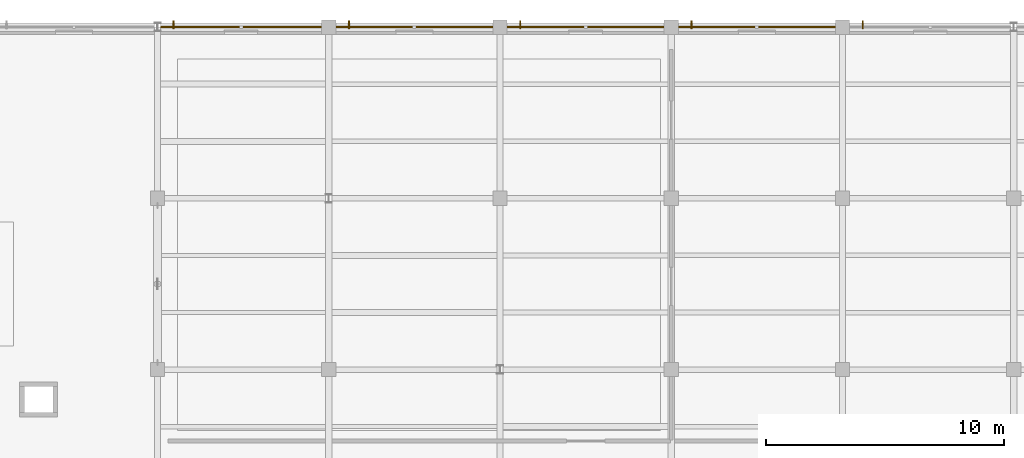
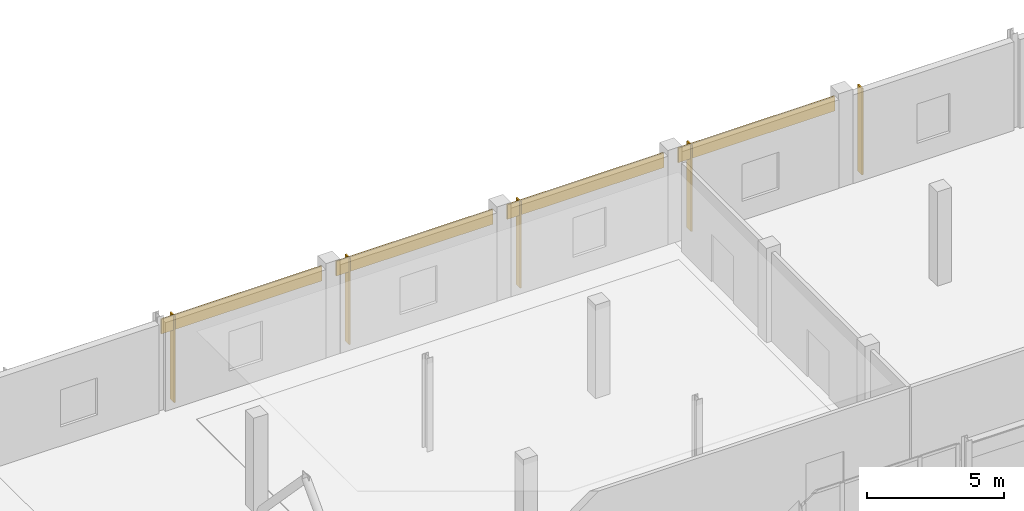
# One storey, part 92 of 94: 5 shading devices, 4 coverings.
"""IFC4 building model written with IfcOpenShell, lengths in metres."""

import ifcopenshell
import ifcopenshell.guid

model = None  # the IFC model being written
_history = None  # IfcOwnerHistory: only IFC2X3 demands one
_inside = {}  # id of a spatial element -> (the spatial element, [elements in it])
_under = {}  # id of a project, library or spatial element -> (it, [spatial elements below it])
_declared = {}  # id of a project -> (the project, [libraries it declares])
_typed = {}  # id of a type object -> (the type object, [elements of that type])
_made_of = {}  # id of a material, layer set ... -> (it, [elements and type objects made of it])


def new_model(schema):
    """Start an empty IFC model of exactly this schema.

    Asked for "IFC4X3", IfcOpenShell would pick the latest addendum, in which some entities
    have other attributes; the version numbers below select the first issue.
    IFC2X3 requires an IfcOwnerHistory on every rooted entity: one is made here for all.
    """
    global model, _history
    if schema == "IFC4X3":
        model = ifcopenshell.file(schema_version=(4, 3, 0, 0))
    else:
        model = ifcopenshell.file(schema=schema)
    _inside.clear()
    _under.clear()
    _declared.clear()
    _typed.clear()
    _made_of.clear()
    _history = None
    if model.schema == "IFC2X3":
        org = make("IfcOrganization", Name="unknown")
        user = make(
            "IfcPersonAndOrganization",
            ThePerson=make("IfcPerson", FamilyName="unknown"),
            TheOrganization=org,
        )
        app = make(
            "IfcApplication",
            ApplicationDeveloper=org,
            Version="unknown",
            ApplicationFullName="unknown",
            ApplicationIdentifier="unknown",
        )
        _history = make(
            "IfcOwnerHistory",
            OwningUser=user,
            OwningApplication=app,
            ChangeAction="ADDED",
            CreationDate=0,
        )
    return model


def make(cls, **values):
    """One entity of the class cls with the attributes given. An attribute that is None is left unset."""
    return model.create_entity(
        cls, **{name: value for name, value in values.items() if value is not None}
    )


def rooted(cls, **values):
    """An entity with a GlobalId (a new one), such as an element, a storey or a relation."""
    return make(cls, GlobalId=ifcopenshell.guid.new(), OwnerHistory=_history, **values)


def si_unit(unit_type, name, prefix=None):
    """IfcSIUnit, for example si_unit("LENGTHUNIT", "METRE", prefix="MILLI")."""
    return make("IfcSIUnit", UnitType=unit_type, Prefix=prefix, Name=name)


def assignment(units):
    """IfcUnitAssignment: the units of a project."""
    return None if units is None else make("IfcUnitAssignment", Units=units)


def point(xyz):
    """IfcCartesianPoint."""
    return None if xyz is None else make("IfcCartesianPoint", Coordinates=xyz)


def direction(xyz):
    """IfcDirection."""
    return None if xyz is None else make("IfcDirection", DirectionRatios=xyz)


def frame(location, z_axis=None, x_axis=None):
    """IfcAxis2Placement3D, a coordinate frame: its origin and axes. An axis left out is left unset."""
    return make(
        "IfcAxis2Placement3D",
        Location=point(location),
        Axis=direction(z_axis),
        RefDirection=direction(x_axis),
    )


def frame_2d(location, x_axis=None):
    """IfcAxis2Placement2D, a coordinate frame in the plane: its origin and x axis."""
    return make(
        "IfcAxis2Placement2D", Location=point(location), RefDirection=direction(x_axis)
    )


def origin():
    """The frame at (0, 0, 0) with its axes left unset."""
    return frame((0.0, 0.0, 0.0))


def origin_2d():
    """The frame at (0, 0) in the plane with its x axis left unset."""
    return frame_2d((0.0, 0.0))


def place(relative_to, where):
    """IfcLocalPlacement: puts the frame where relative to a parent placement (None: the world)."""
    return make(
        "IfcLocalPlacement", PlacementRelTo=relative_to, RelativePlacement=where
    )


def context(
    kind, dimensions, precision=None, world=None, true_north=None, identifier=None
):
    """IfcGeometricRepresentationContext, for example the 3D "Model" context."""
    return make(
        "IfcGeometricRepresentationContext",
        ContextIdentifier=identifier,
        ContextType=kind,
        CoordinateSpaceDimension=dimensions,
        Precision=precision,
        WorldCoordinateSystem=world,
        TrueNorth=true_north,
    )


def subcontext(parent, identifier, kind, view, scale=None):
    """IfcGeometricRepresentationSubContext, for example "Body" below "Model"."""
    return make(
        "IfcGeometricRepresentationSubContext",
        ContextIdentifier=identifier,
        ContextType=kind,
        ParentContext=parent,
        TargetScale=scale,
        TargetView=view,
    )


def project(units=None, contexts=None):
    """IfcProject with its units and contexts."""
    return rooted(
        "IfcProject",
        Name="project",
        RepresentationContexts=contexts,
        UnitsInContext=assignment(units),
    )


def spatial(cls, under=None, at=None, **own):
    """A site, building, storey or space (cls), placed at a placement, below another one or the project."""
    s = rooted(cls, ObjectPlacement=at, **own)
    if under is not None:
        _under.setdefault(under.id(), (under, []))[1].append(s)
    return s


def profile(cls, at=None, kind="AREA", **sizes):
    """A parametric profile (cls). Its sizes go by their IFC names, for example OverallWidth=200.0."""
    return make(cls, ProfileType=kind, Position=at, **sizes)


def rectangle(**sizes):
    """IfcRectangleProfileDef."""
    return profile("IfcRectangleProfileDef", **sizes)


def extrude(swept, where, along, depth):
    """IfcExtrudedAreaSolid: the profile swept, set in the frame where, extruded along a direction by depth."""
    return make(
        "IfcExtrudedAreaSolid",
        SweptArea=swept,
        Position=where,
        ExtrudedDirection=direction(along),
        Depth=depth,
    )


def shape(context_of_items, identifier, shape_type, items):
    """IfcShapeRepresentation: the items that make up one representation, for example the "Body"."""
    return make(
        "IfcShapeRepresentation",
        ContextOfItems=context_of_items,
        RepresentationIdentifier=identifier,
        RepresentationType=shape_type,
        Items=items,
    )


def material(Name=None, Category=None):
    """IfcMaterial."""
    return make("IfcMaterial", Name=Name, Category=Category)


def layer(
    of_material, thickness, ventilated=None, Name=None, Category=None, Priority=None
):
    """IfcMaterialLayer: one layer of a wall or slab, of a material (None: an air gap)."""
    return make(
        "IfcMaterialLayer",
        Material=of_material,
        LayerThickness=thickness,
        IsVentilated=ventilated,
        Name=Name,
        Category=Category,
        Priority=Priority,
    )


def layer_set(layers, Name=None):
    """IfcMaterialLayerSet."""
    return make("IfcMaterialLayerSet", MaterialLayers=layers, LayerSetName=Name)


def made_of(thing, what):
    """Note that an element or type object is made of a material, layer set ...; save() writes the relation."""
    if what is not None:
        _made_of.setdefault(what.id(), (what, []))[1].append(thing)
    return thing


def type_object(cls, material=None, **own):
    """A type object (cls), such as IfcWallType, which elements share."""
    return made_of(rooted(cls, **own), material)


def element(
    cls,
    number,
    at=None,
    inside=None,
    cuts=None,
    type_object=None,
    material=None,
    context=None,
    identifier="Body",
    shape_type=None,
    held_by="IfcProductDefinitionShape",
    body=None,
    shapes=None,
    **own,
):
    """One element of the class cls, such as IfcWall. Its Tag is "e" and its number.

    at: its placement. inside: the storey or other place that contains it. cuts: it is an
    opening in that element (IfcRelVoidsElement). A single representation is given by context,
    identifier, shape_type and body (its items); several are given by shapes. held_by: the class
    of the entity that holds the representations. save() writes the other relations.
    """
    e = rooted(cls, Tag="e%d" % number, ObjectPlacement=at, **own)
    if body is not None:
        shapes = [shape(context, identifier, shape_type, body)]
    if shapes is not None:
        e.Representation = make(held_by, Representations=shapes)
    if inside is not None:
        _inside.setdefault(inside.id(), (inside, []))[1].append(e)
    if cuts is not None:
        rooted(
            "IfcRelVoidsElement", RelatingBuildingElement=cuts, RelatedOpeningElement=e
        )
    if type_object is not None:
        _typed.setdefault(type_object.id(), (type_object, []))[1].append(e)
    return made_of(e, material)


def aggregate(whole, parts):
    """IfcRelAggregates: a whole, such as a stair, and the parts it consists of."""
    return rooted("IfcRelAggregates", RelatingObject=whole, RelatedObjects=parts)


def save(model, path):
    """Write the relations noted so far, then the file.

    IfcRelAggregates (storeys below a building ...), IfcRelContainedInSpatialStructure (elements
    in a storey), IfcRelDefinesByType, IfcRelAssociatesMaterial and IfcRelDeclares: one each for
    every whole, place, type object, material and project.
    """
    for whole, parts in _under.values():
        aggregate(whole, parts)
    for where, things in _inside.values():
        rooted(
            "IfcRelContainedInSpatialStructure",
            RelatedElements=things,
            RelatingStructure=where,
        )
    for kind, things in _typed.values():
        rooted("IfcRelDefinesByType", RelatedObjects=things, RelatingType=kind)
    for what, things in _made_of.values():
        rooted("IfcRelAssociatesMaterial", RelatedObjects=things, RelatingMaterial=what)
    for by, libraries in _declared.values():
        rooted("IfcRelDeclares", RelatingContext=by, RelatedDefinitions=libraries)
    model.write(path)


model = new_model("IFC4")

# Units and contexts
model_context = context("Model", 3, precision=1e-05, world=origin(), true_north=direction((0.0, 1.0)))
body_context = subcontext(model_context, "Body", "Model", "MODEL_VIEW")
ifc_project = project(units=[si_unit("LENGTHUNIT", "METRE"), si_unit("AREAUNIT", "SQUARE_METRE"), si_unit("VOLUMEUNIT", "CUBIC_METRE"), si_unit("PLANEANGLEUNIT", "RADIAN"), si_unit("MASSUNIT", "GRAM", prefix="KILO")], contexts=[model_context])

# Site, building, storey
site_placement = place(None, origin())
site = spatial("IfcSite", under=ifc_project, at=site_placement, CompositionType="ELEMENT")
building_placement = place(site_placement, origin())
building = spatial("IfcBuilding", under=site, at=building_placement, Name="Kalmorath City Hall", CompositionType="ELEMENT")
storey_placement = place(building_placement, frame((0.0, 0.0, 14.699951171875)))
storey = spatial("IfcBuildingStorey", under=building, at=storey_placement, Name="L03", CompositionType="ELEMENT", Elevation=14.699951171875)

# Shading devices
ifc_material_1 = material(Name="Bronze anodised aluminium", Category="aluminium")
ifc_layer_1 = layer(ifc_material_1, 0.06005859375)
ifc_layer_set_1 = layer_set([ifc_layer_1], Name="Bronze anodised aluminium")
shading_device_type = type_object("IfcShadingDeviceType", Name="Bronze vertical solar fin 320", PredefinedType="USERDEFINED", material=ifc_layer_set_1)
for number, where, z_axis, x_axis, name in (
    (1, (65.47802734375, 115.300048828125, 0.050048828125), (0.0, 0.0, 1.0), (1.0, 0.0, 0.0), "L03 bronze solar fin #327"),
    (2, (72.85107421875, 115.300048828125, 0.050048828125), (0.0, 0.0, 1.0), (1.0, 0.0, 0.0), "L03 bronze solar fin #328"),
    (3, (80.051025390625, 115.300048828125, 0.050048828125), (0.0, 0.0, 1.0), (1.0, 0.0, 0.0), "L03 bronze solar fin #329"),
    (4, (87.2509765625, 115.300048828125, 0.050048828125), (0.0, 0.0, 1.0), (1.0, 0.0, 0.0), "L03 bronze solar fin #330"),
    (5, (94.450927734375, 115.300048828125, 0.050048828125), (0.0, 0.0, 1.0), (1.0, 0.0, 0.0), "L03 bronze solar fin #331"),
):
    element("IfcShadingDevice", number, at=place(storey_placement, frame(where, z_axis=z_axis, x_axis=x_axis)), inside=storey, type_object=shading_device_type, Name=name, ObjectType="FIN", PredefinedType="USERDEFINED", context=body_context, shape_type="SweptSolid", body=[
        extrude(rectangle(XDim=0.06005859375, YDim=0.320068359375, at=origin_2d()), origin(), (0.0, 0.0, 1.0), 3.85009765625),
    ])

# Coverings
ifc_material_2 = material(Name="Volcanic basalt stone cladding", Category="masonry")
ifc_layer_2 = layer(ifc_material_2, 0.06005859375)
ifc_layer_set_2 = layer_set([ifc_layer_2], Name="Volcanic basalt stone cladding")
covering_type = type_object("IfcCoveringType", Name="Volcanic basalt stone rainscreen cladding", PredefinedType="CLADDING", material=ifc_layer_set_2)
covering_placement = place(storey_placement, frame((68.3134765625, 115.205078125, 3.275146484375), z_axis=(0.0, 0.0, 1.0), x_axis=(1.0, 0.0, 0.0)))
element("IfcCovering", 6, at=covering_placement, inside=storey, type_object=covering_type, Name="L03 basalt spandrel cladding #65", PredefinedType="CLADDING", context=body_context, shape_type="SweptSolid", body=[
    extrude(rectangle(XDim=6.77099609375, YDim=0.06005859375, at=origin_2d()), origin(), (0.0, 0.0, 1.0), 0.64990234375),
])
for number, where, z_axis, x_axis, name in (
    (7, (75.60009765625, 115.205078125, 3.275146484375), (0.0, 0.0, 1.0), (1.0, 0.0, 0.0), "L03 basalt spandrel cladding #66"),
    (8, (82.800048828125, 115.205078125, 3.275146484375), (0.0, 0.0, 1.0), (1.0, 0.0, 0.0), "L03 basalt spandrel cladding #67"),
    (9, (90.0, 115.205078125, 3.275146484375), (0.0, 0.0, 1.0), (1.0, 0.0, 0.0), "L03 basalt spandrel cladding #68"),
):
    element("IfcCovering", number, at=place(storey_placement, frame(where, z_axis=z_axis, x_axis=x_axis)), inside=storey, type_object=covering_type, Name=name, PredefinedType="CLADDING", context=body_context, shape_type="SweptSolid", body=[
        extrude(rectangle(XDim=6.597900390625, YDim=0.06005859375, at=origin_2d()), origin(), (0.0, 0.0, 1.0), 0.64990234375),
    ])

save(model, "model.ifc")
